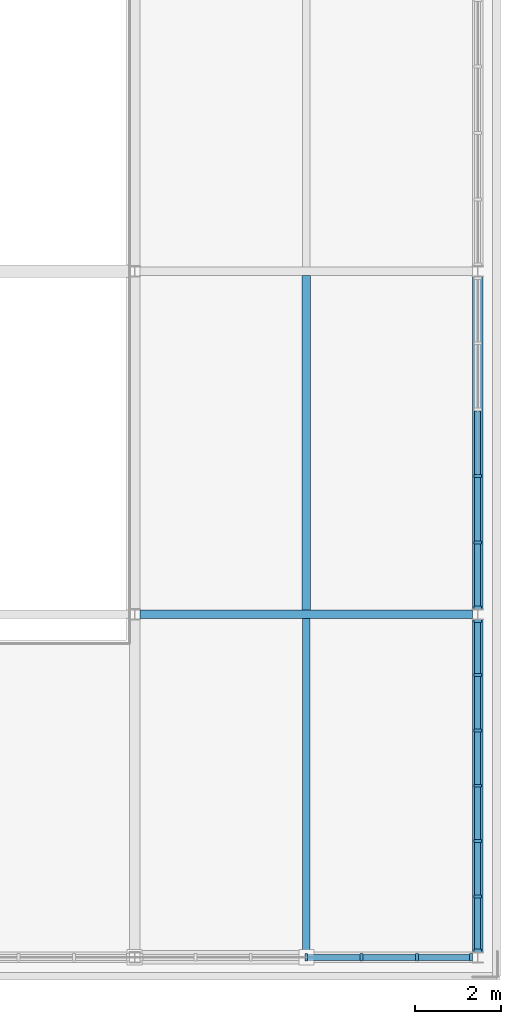
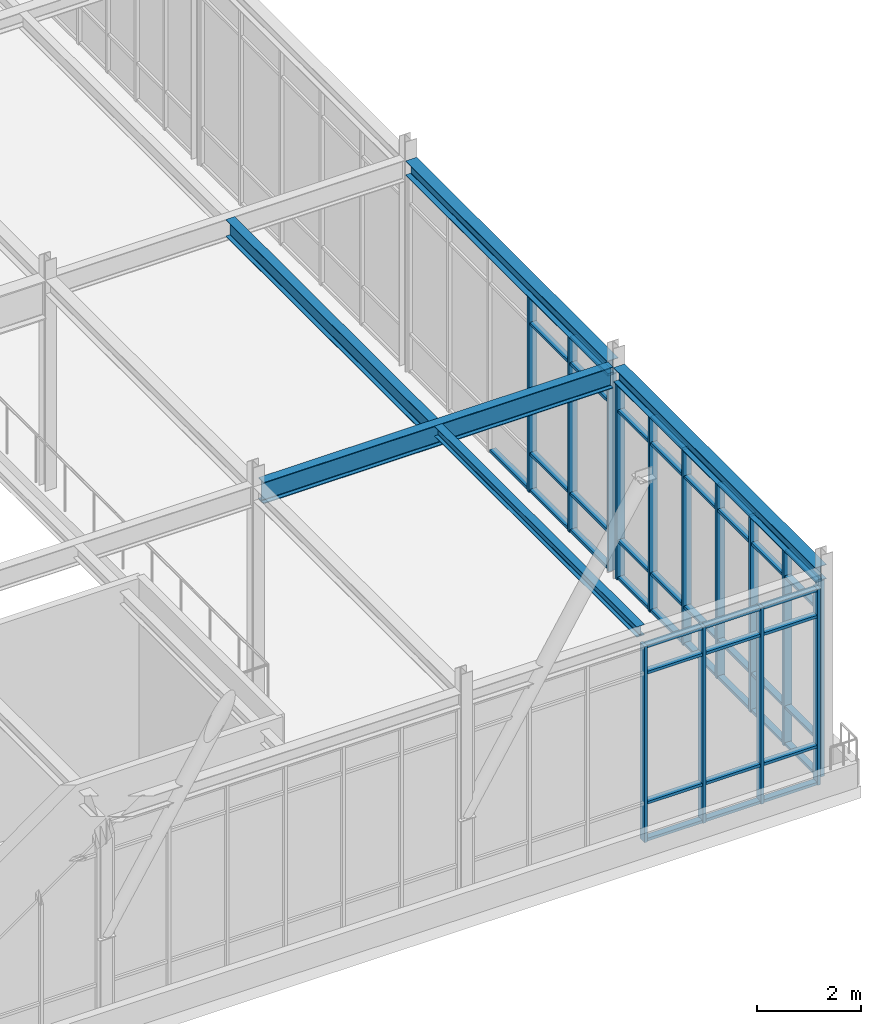
# One storey, part 52 of 108: 59 members, 5 beams, 3 elements without a shape of their own.
"""IFC4 building model written with IfcOpenShell, lengths in metres."""

from ifc_helpers import new_model, si_unit, direction, frame, origin, origin_2d, place, context, subcontext, project, spatial, rectangle, i_section, extrude, material, material_profile, profile_set, type_object, element, aggregate, save


model = new_model("IFC4")

# Units and contexts
model_context = context("Model", 3, precision=1e-05, world=origin(), true_north=direction((0.0, 1.0)))
body_context = subcontext(model_context, "Body", "Model", "MODEL_VIEW")
ifc_project = project(units=[si_unit("LENGTHUNIT", "METRE"), si_unit("AREAUNIT", "SQUARE_METRE"), si_unit("VOLUMEUNIT", "CUBIC_METRE"), si_unit("PLANEANGLEUNIT", "RADIAN"), si_unit("MASSUNIT", "GRAM", prefix="KILO")], contexts=[model_context])

# Site, building, storey
site_placement = place(None, origin())
site = spatial("IfcSite", under=ifc_project, at=site_placement, CompositionType="ELEMENT")
building_placement = place(site_placement, origin())
building = spatial("IfcBuilding", under=site, at=building_placement, Name="Zhaolan Boulevard Law Courts", CompositionType="ELEMENT")
storey_placement = place(building_placement, frame((0.0, 0.0, 10.800048828125)))
storey = spatial("IfcBuildingStorey", under=building, at=storey_placement, Name="L02", CompositionType="ELEMENT", Elevation=10.800048828125)

# Curtain wall, members
ifc_material_1 = material(Name="Thermally broken aluminium and low-E glazing", Category="aluminium")
curtain_wall_type_1 = type_object("IfcCurtainWallType", Name="CURTAIN WALL M14", PredefinedType="USERDEFINED", material=ifc_material_1)
curtain_wall_1_placement = place(storey_placement, origin())
curtain_wall_1 = element("IfcCurtainWall", 1, at=curtain_wall_1_placement, inside=storey, type_object=curtain_wall_type_1, Name="Curtain Wall CW-L02-086", ObjectType="CURTAIN WALL", PredefinedType="USERDEFINED")
ifc_material_2 = material(Name="Fluorocarbon-coated aluminium 6063-T6", Category="aluminium")
ifc_material_profile_1 = material_profile(ifc_material_2, rectangle(XDim=0.179931640625, YDim=0.06494140625, at=origin_2d()), Name="AL65x180")
ifc_profile_set_1 = profile_set([ifc_material_profile_1], Name="Fluorocarbon-coated aluminium 6063-T6")
member_type_1 = type_object("IfcMemberType", Name="CWMULLION 65X180", PredefinedType="MULLION", material=ifc_profile_set_1)
member_1_placement = place(storey_placement, frame((160.0, 6.0, 0.0), z_axis=(0.0, 0.0, 1.0), x_axis=(0.0, 1.0, 0.0)))
member_1 = element("IfcMember", 2, at=member_1_placement, type_object=member_type_1, Name="CW-L02-086 mullion 4", PredefinedType="MULLION", context=body_context, shape_type="SweptSolid", body=[
    extrude(rectangle(XDim=0.179931640625, YDim=0.06494140625, at=origin_2d()), origin(), (0.0, 0.0, 1.0), 4.60302734375),
])
member_2_placement = place(storey_placement, frame((161.291015625, 6.0, 0.0), z_axis=(0.0, 0.0, 1.0), x_axis=(0.0, 1.0, 0.0)))
member_2 = element("IfcMember", 3, at=member_2_placement, type_object=member_type_1, Name="CW-L02-086 mullion 5", PredefinedType="MULLION", context=body_context, shape_type="SweptSolid", body=[
    extrude(rectangle(XDim=0.179931640625, YDim=0.06494140625, at=origin_2d()), origin(), (0.0, 0.0, 1.0), 4.60302734375),
])
member_3_placement = place(storey_placement, frame((162.58203125, 6.0, 0.0), z_axis=(0.0, 0.0, 1.0), x_axis=(0.0, 1.0, 0.0)))
member_3 = element("IfcMember", 4, at=member_3_placement, type_object=member_type_1, Name="CW-L02-086 mullion 6", PredefinedType="MULLION", context=body_context, shape_type="SweptSolid", body=[
    extrude(rectangle(XDim=0.179931640625, YDim=0.06494140625, at=origin_2d()), origin(), (0.0, 0.0, 1.0), 4.60302734375),
])
member_4_placement = place(storey_placement, frame((163.840576171875, 6.0, 0.0), z_axis=(0.0, 0.0, 1.0), x_axis=(0.0, 1.0, 0.0)))
member_4 = element("IfcMember", 5, at=member_4_placement, type_object=member_type_1, Name="CW-L02-086 mullion 7", PredefinedType="MULLION", context=body_context, shape_type="SweptSolid", body=[
    extrude(rectangle(XDim=0.179931640625, YDim=0.06494140625, at=origin_2d()), origin(), (0.0, 0.0, 1.0), 4.60302734375),
])

ifc_material_3 = material(Name="Thermally broken aluminium and low-E glazing", Category="aluminium")
curtain_wall_type_2 = type_object("IfcCurtainWallType", Name="CURTAIN WALL M15", PredefinedType="USERDEFINED", material=ifc_material_3)
curtain_wall_2_placement = place(storey_placement, origin())
curtain_wall_2 = element("IfcCurtainWall", 6, at=curtain_wall_2_placement, inside=storey, type_object=curtain_wall_type_2, Name="Curtain Wall CW-L02-087", ObjectType="CURTAIN WALL", PredefinedType="USERDEFINED")
member_5_placement = place(storey_placement, frame((164.0, 6.159423828125, 0.0), z_axis=(0.0, 0.0, 1.0), x_axis=(-1.0, 0.0, 0.0)))
member_5 = element("IfcMember", 7, at=member_5_placement, type_object=member_type_1, Name="CW-L02-087 mullion 1", PredefinedType="MULLION", context=body_context, shape_type="SweptSolid", body=[
    extrude(rectangle(XDim=0.179931640625, YDim=0.06494140625, at=origin_2d()), origin(), (0.0, 0.0, 1.0), 4.60302734375),
])
member_6_placement = place(storey_placement, frame((164.0, 7.41796875, 0.0), z_axis=(0.0, 0.0, 1.0), x_axis=(-1.0, 0.0, 0.0)))
member_6 = element("IfcMember", 8, at=member_6_placement, type_object=member_type_1, Name="CW-L02-087 mullion 2", PredefinedType="MULLION", context=body_context, shape_type="SweptSolid", body=[
    extrude(rectangle(XDim=0.179931640625, YDim=0.06494140625, at=origin_2d()), origin(), (0.0, 0.0, 1.0), 4.60302734375),
])
member_7_placement = place(storey_placement, frame((164.0, 8.708984375, 0.0), z_axis=(0.0, 0.0, 1.0), x_axis=(-1.0, 0.0, 0.0)))
member_7 = element("IfcMember", 9, at=member_7_placement, type_object=member_type_1, Name="CW-L02-087 mullion 3", PredefinedType="MULLION", context=body_context, shape_type="SweptSolid", body=[
    extrude(rectangle(XDim=0.179931640625, YDim=0.06494140625, at=origin_2d()), origin(), (0.0, 0.0, 1.0), 4.60302734375),
])
member_8_placement = place(storey_placement, frame((164.0, 10.0, 0.0), z_axis=(0.0, 0.0, 1.0), x_axis=(-1.0, 0.0, 0.0)))
member_8 = element("IfcMember", 10, at=member_8_placement, type_object=member_type_1, Name="CW-L02-087 mullion 4", PredefinedType="MULLION", context=body_context, shape_type="SweptSolid", body=[
    extrude(rectangle(XDim=0.179931640625, YDim=0.06494140625, at=origin_2d()), origin(), (0.0, 0.0, 1.0), 4.60302734375),
])
member_9_placement = place(storey_placement, frame((164.0, 11.291015625, 0.0), z_axis=(0.0, 0.0, 1.0), x_axis=(-1.0, 0.0, 0.0)))
member_9 = element("IfcMember", 11, at=member_9_placement, type_object=member_type_1, Name="CW-L02-087 mullion 5", PredefinedType="MULLION", context=body_context, shape_type="SweptSolid", body=[
    extrude(rectangle(XDim=0.179931640625, YDim=0.06494140625, at=origin_2d()), origin(), (0.0, 0.0, 1.0), 4.60302734375),
])
member_10_placement = place(storey_placement, frame((164.0, 12.58203125, 0.0), z_axis=(0.0, 0.0, 1.0), x_axis=(-1.0, 0.0, 0.0)))
member_10 = element("IfcMember", 12, at=member_10_placement, type_object=member_type_1, Name="CW-L02-087 mullion 6", PredefinedType="MULLION", context=body_context, shape_type="SweptSolid", body=[
    extrude(rectangle(XDim=0.179931640625, YDim=0.06494140625, at=origin_2d()), origin(), (0.0, 0.0, 1.0), 4.60302734375),
])
member_11_placement = place(storey_placement, frame((164.0, 13.840576171875, 0.0), z_axis=(0.0, 0.0, 1.0), x_axis=(-1.0, 0.0, 0.0)))
member_11 = element("IfcMember", 13, at=member_11_placement, type_object=member_type_1, Name="CW-L02-087 mullion 7", PredefinedType="MULLION", context=body_context, shape_type="SweptSolid", body=[
    extrude(rectangle(XDim=0.179931640625, YDim=0.06494140625, at=origin_2d()), origin(), (0.0, 0.0, 1.0), 4.60302734375),
])

ifc_material_4 = material(Name="Thermally broken aluminium and low-E glazing", Category="aluminium")
curtain_wall_type_3 = type_object("IfcCurtainWallType", Name="CURTAIN WALL M16", PredefinedType="USERDEFINED", material=ifc_material_4)
curtain_wall_3_placement = place(storey_placement, origin())
curtain_wall_3 = element("IfcCurtainWall", 14, at=curtain_wall_3_placement, inside=storey, type_object=curtain_wall_type_3, Name="Curtain Wall CW-L02-088", ObjectType="CURTAIN WALL", PredefinedType="USERDEFINED")
member_12_placement = place(storey_placement, frame((164.0, 14.159423828125, 0.0), z_axis=(0.0, 0.0, 1.0), x_axis=(-1.0, 0.0, 0.0)))
member_12 = element("IfcMember", 15, at=member_12_placement, type_object=member_type_1, Name="CW-L02-088 mullion 1", PredefinedType="MULLION", context=body_context, shape_type="SweptSolid", body=[
    extrude(rectangle(XDim=0.179931640625, YDim=0.06494140625, at=origin_2d()), origin(), (0.0, 0.0, 1.0), 4.60302734375),
])
member_13_placement = place(storey_placement, frame((164.0, 15.67626953125, 0.0), z_axis=(0.0, 0.0, 1.0), x_axis=(-1.0, 0.0, 0.0)))
member_13 = element("IfcMember", 16, at=member_13_placement, type_object=member_type_1, Name="CW-L02-088 mullion 2", PredefinedType="MULLION", context=body_context, shape_type="SweptSolid", body=[
    extrude(rectangle(XDim=0.179931640625, YDim=0.06494140625, at=origin_2d()), origin(), (0.0, 0.0, 1.0), 4.60302734375),
])
member_14_placement = place(storey_placement, frame((164.0, 17.225341796875, 0.0), z_axis=(0.0, 0.0, 1.0), x_axis=(-1.0, 0.0, 0.0)))
member_14 = element("IfcMember", 17, at=member_14_placement, type_object=member_type_1, Name="CW-L02-088 mullion 3", PredefinedType="MULLION", context=body_context, shape_type="SweptSolid", body=[
    extrude(rectangle(XDim=0.179931640625, YDim=0.06494140625, at=origin_2d()), origin(), (0.0, 0.0, 1.0), 4.60302734375),
])

# Member
ifc_material_5 = material(Name="Fluorocarbon-coated aluminium 6063-T6", Category="aluminium")
ifc_material_profile_2 = material_profile(ifc_material_5, rectangle(XDim=0.139892578125, YDim=0.06494140625, at=origin_2d()), Name="AL65x140")
ifc_profile_set_2 = profile_set([ifc_material_profile_2], Name="Fluorocarbon-coated aluminium 6063-T6")
member_type_2 = type_object("IfcMemberType", Name="CWTRANSOM 65X140", PredefinedType="USERDEFINED", material=ifc_profile_set_2)
member_15_placement = place(storey_placement, frame((160.032470703125, 6.0, 0.032470703125), z_axis=(1.0, 0.0, 0.0), x_axis=(0.0, 1.0, 0.0)))
member_15 = element("IfcMember", 18, at=member_15_placement, type_object=member_type_2, Name="CW-L02-086 transom 4.1", ObjectType="TRANSOM", PredefinedType="USERDEFINED", context=body_context, shape_type="SweptSolid", body=[
    extrude(rectangle(XDim=0.139892578125, YDim=0.06494140625, at=origin_2d()), origin(), (0.0, 0.0, 1.0), 1.22607421875),
])

member_16_placement = place(storey_placement, frame((160.032470703125, 6.0, 0.89990234375), z_axis=(1.0, 0.0, 0.0), x_axis=(0.0, 1.0, 0.0)))
member_16 = element("IfcMember", 19, at=member_16_placement, type_object=member_type_2, Name="CW-L02-086 transom 4.2", ObjectType="TRANSOM", PredefinedType="USERDEFINED", context=body_context, shape_type="SweptSolid", body=[
    extrude(rectangle(XDim=0.139892578125, YDim=0.06494140625, at=origin_2d()), origin(), (0.0, 0.0, 1.0), 1.22607421875),
])

member_17_placement = place(storey_placement, frame((160.032470703125, 6.0, 3.952880859375), z_axis=(1.0, 0.0, 0.0), x_axis=(0.0, 1.0, 0.0)))
member_17 = element("IfcMember", 20, at=member_17_placement, type_object=member_type_2, Name="CW-L02-086 transom 4.3", ObjectType="TRANSOM", PredefinedType="USERDEFINED", context=body_context, shape_type="SweptSolid", body=[
    extrude(rectangle(XDim=0.139892578125, YDim=0.06494140625, at=origin_2d()), origin(), (0.0, 0.0, 1.0), 1.22607421875),
])

member_18_placement = place(storey_placement, frame((160.032470703125, 6.0, 4.570556640625), z_axis=(1.0, 0.0, 0.0), x_axis=(0.0, 1.0, 0.0)))
member_18 = element("IfcMember", 21, at=member_18_placement, type_object=member_type_2, Name="CW-L02-086 transom 4.4", ObjectType="TRANSOM", PredefinedType="USERDEFINED", context=body_context, shape_type="SweptSolid", body=[
    extrude(rectangle(XDim=0.139892578125, YDim=0.06494140625, at=origin_2d()), origin(), (0.0, 0.0, 1.0), 1.22607421875),
])

member_19_placement = place(storey_placement, frame((161.323486328125, 6.0, 0.032470703125), z_axis=(1.0, 0.0, 0.0), x_axis=(0.0, 1.0, 0.0)))
member_19 = element("IfcMember", 22, at=member_19_placement, type_object=member_type_2, Name="CW-L02-086 transom 5.1", ObjectType="TRANSOM", PredefinedType="USERDEFINED", context=body_context, shape_type="SweptSolid", body=[
    extrude(rectangle(XDim=0.139892578125, YDim=0.06494140625, at=origin_2d()), origin(), (0.0, 0.0, 1.0), 1.22607421875),
])

member_20_placement = place(storey_placement, frame((161.323486328125, 6.0, 0.89990234375), z_axis=(1.0, 0.0, 0.0), x_axis=(0.0, 1.0, 0.0)))
member_20 = element("IfcMember", 23, at=member_20_placement, type_object=member_type_2, Name="CW-L02-086 transom 5.2", ObjectType="TRANSOM", PredefinedType="USERDEFINED", context=body_context, shape_type="SweptSolid", body=[
    extrude(rectangle(XDim=0.139892578125, YDim=0.06494140625, at=origin_2d()), origin(), (0.0, 0.0, 1.0), 1.22607421875),
])

member_21_placement = place(storey_placement, frame((161.323486328125, 6.0, 3.952880859375), z_axis=(1.0, 0.0, 0.0), x_axis=(0.0, 1.0, 0.0)))
member_21 = element("IfcMember", 24, at=member_21_placement, type_object=member_type_2, Name="CW-L02-086 transom 5.3", ObjectType="TRANSOM", PredefinedType="USERDEFINED", context=body_context, shape_type="SweptSolid", body=[
    extrude(rectangle(XDim=0.139892578125, YDim=0.06494140625, at=origin_2d()), origin(), (0.0, 0.0, 1.0), 1.22607421875),
])

member_22_placement = place(storey_placement, frame((161.323486328125, 6.0, 4.570556640625), z_axis=(1.0, 0.0, 0.0), x_axis=(0.0, 1.0, 0.0)))
member_22 = element("IfcMember", 25, at=member_22_placement, type_object=member_type_2, Name="CW-L02-086 transom 5.4", ObjectType="TRANSOM", PredefinedType="USERDEFINED", context=body_context, shape_type="SweptSolid", body=[
    extrude(rectangle(XDim=0.139892578125, YDim=0.06494140625, at=origin_2d()), origin(), (0.0, 0.0, 1.0), 1.22607421875),
])

member_23_placement = place(storey_placement, frame((162.614501953125, 6.0, 0.032470703125), z_axis=(1.0, 0.0, 0.0), x_axis=(0.0, 1.0, 0.0)))
member_23 = element("IfcMember", 26, at=member_23_placement, type_object=member_type_2, Name="CW-L02-086 transom 6.1", ObjectType="TRANSOM", PredefinedType="USERDEFINED", context=body_context, shape_type="SweptSolid", body=[
    extrude(rectangle(XDim=0.139892578125, YDim=0.06494140625, at=origin_2d()), origin(), (0.0, 0.0, 1.0), 1.193603515625),
])

member_24_placement = place(storey_placement, frame((162.614501953125, 6.0, 0.89990234375), z_axis=(1.0, 0.0, 0.0), x_axis=(0.0, 1.0, 0.0)))
member_24 = element("IfcMember", 27, at=member_24_placement, type_object=member_type_2, Name="CW-L02-086 transom 6.2", ObjectType="TRANSOM", PredefinedType="USERDEFINED", context=body_context, shape_type="SweptSolid", body=[
    extrude(rectangle(XDim=0.139892578125, YDim=0.06494140625, at=origin_2d()), origin(), (0.0, 0.0, 1.0), 1.193603515625),
])

member_25_placement = place(storey_placement, frame((162.614501953125, 6.0, 3.952880859375), z_axis=(1.0, 0.0, 0.0), x_axis=(0.0, 1.0, 0.0)))
member_25 = element("IfcMember", 28, at=member_25_placement, type_object=member_type_2, Name="CW-L02-086 transom 6.3", ObjectType="TRANSOM", PredefinedType="USERDEFINED", context=body_context, shape_type="SweptSolid", body=[
    extrude(rectangle(XDim=0.139892578125, YDim=0.06494140625, at=origin_2d()), origin(), (0.0, 0.0, 1.0), 1.193603515625),
])

member_26_placement = place(storey_placement, frame((162.614501953125, 6.0, 4.570556640625), z_axis=(1.0, 0.0, 0.0), x_axis=(0.0, 1.0, 0.0)))
member_26 = element("IfcMember", 29, at=member_26_placement, type_object=member_type_2, Name="CW-L02-086 transom 6.4", ObjectType="TRANSOM", PredefinedType="USERDEFINED", context=body_context, shape_type="SweptSolid", body=[
    extrude(rectangle(XDim=0.139892578125, YDim=0.06494140625, at=origin_2d()), origin(), (0.0, 0.0, 1.0), 1.193603515625),
])

aggregate(curtain_wall_1, [member_1, member_2, member_3, member_4, member_15, member_16, member_17, member_18, member_19, member_20, member_21, member_22, member_23, member_24, member_25, member_26])

member_27_placement = place(storey_placement, frame((164.0, 6.19189453125, 0.032470703125), z_axis=(0.0, 1.0, 0.0), x_axis=(-1.0, 0.0, 0.0)))
member_27 = element("IfcMember", 30, at=member_27_placement, type_object=member_type_2, Name="CW-L02-087 transom 1.1", ObjectType="TRANSOM", PredefinedType="USERDEFINED", context=body_context, shape_type="SweptSolid", body=[
    extrude(rectangle(XDim=0.139892578125, YDim=0.06494140625, at=origin_2d()), origin(), (0.0, 0.0, 1.0), 1.193603515625),
])

member_28_placement = place(storey_placement, frame((164.0, 6.19189453125, 0.89990234375), z_axis=(0.0, 1.0, 0.0), x_axis=(-1.0, 0.0, 0.0)))
member_28 = element("IfcMember", 31, at=member_28_placement, type_object=member_type_2, Name="CW-L02-087 transom 1.2", ObjectType="TRANSOM", PredefinedType="USERDEFINED", context=body_context, shape_type="SweptSolid", body=[
    extrude(rectangle(XDim=0.139892578125, YDim=0.06494140625, at=origin_2d()), origin(), (0.0, 0.0, 1.0), 1.193603515625),
])

member_29_placement = place(storey_placement, frame((164.0, 6.19189453125, 3.952880859375), z_axis=(0.0, 1.0, 0.0), x_axis=(-1.0, 0.0, 0.0)))
member_29 = element("IfcMember", 32, at=member_29_placement, type_object=member_type_2, Name="CW-L02-087 transom 1.3", ObjectType="TRANSOM", PredefinedType="USERDEFINED", context=body_context, shape_type="SweptSolid", body=[
    extrude(rectangle(XDim=0.139892578125, YDim=0.06494140625, at=origin_2d()), origin(), (0.0, 0.0, 1.0), 1.193603515625),
])

member_30_placement = place(storey_placement, frame((164.0, 6.19189453125, 4.570556640625), z_axis=(0.0, 1.0, 0.0), x_axis=(-1.0, 0.0, 0.0)))
member_30 = element("IfcMember", 33, at=member_30_placement, type_object=member_type_2, Name="CW-L02-087 transom 1.4", ObjectType="TRANSOM", PredefinedType="USERDEFINED", context=body_context, shape_type="SweptSolid", body=[
    extrude(rectangle(XDim=0.139892578125, YDim=0.06494140625, at=origin_2d()), origin(), (0.0, 0.0, 1.0), 1.193603515625),
])

member_31_placement = place(storey_placement, frame((164.0, 7.450439453125, 0.032470703125), z_axis=(0.0, 1.0, 0.0), x_axis=(-1.0, 0.0, 0.0)))
member_31 = element("IfcMember", 34, at=member_31_placement, type_object=member_type_2, Name="CW-L02-087 transom 2.1", ObjectType="TRANSOM", PredefinedType="USERDEFINED", context=body_context, shape_type="SweptSolid", body=[
    extrude(rectangle(XDim=0.139892578125, YDim=0.06494140625, at=origin_2d()), origin(), (0.0, 0.0, 1.0), 1.22607421875),
])

member_32_placement = place(storey_placement, frame((164.0, 7.450439453125, 0.89990234375), z_axis=(0.0, 1.0, 0.0), x_axis=(-1.0, 0.0, 0.0)))
member_32 = element("IfcMember", 35, at=member_32_placement, type_object=member_type_2, Name="CW-L02-087 transom 2.2", ObjectType="TRANSOM", PredefinedType="USERDEFINED", context=body_context, shape_type="SweptSolid", body=[
    extrude(rectangle(XDim=0.139892578125, YDim=0.06494140625, at=origin_2d()), origin(), (0.0, 0.0, 1.0), 1.22607421875),
])

member_33_placement = place(storey_placement, frame((164.0, 7.450439453125, 3.952880859375), z_axis=(0.0, 1.0, 0.0), x_axis=(-1.0, 0.0, 0.0)))
member_33 = element("IfcMember", 36, at=member_33_placement, type_object=member_type_2, Name="CW-L02-087 transom 2.3", ObjectType="TRANSOM", PredefinedType="USERDEFINED", context=body_context, shape_type="SweptSolid", body=[
    extrude(rectangle(XDim=0.139892578125, YDim=0.06494140625, at=origin_2d()), origin(), (0.0, 0.0, 1.0), 1.22607421875),
])

member_34_placement = place(storey_placement, frame((164.0, 7.450439453125, 4.570556640625), z_axis=(0.0, 1.0, 0.0), x_axis=(-1.0, 0.0, 0.0)))
member_34 = element("IfcMember", 37, at=member_34_placement, type_object=member_type_2, Name="CW-L02-087 transom 2.4", ObjectType="TRANSOM", PredefinedType="USERDEFINED", context=body_context, shape_type="SweptSolid", body=[
    extrude(rectangle(XDim=0.139892578125, YDim=0.06494140625, at=origin_2d()), origin(), (0.0, 0.0, 1.0), 1.22607421875),
])

member_35_placement = place(storey_placement, frame((164.0, 8.741455078125, 0.032470703125), z_axis=(0.0, 1.0, 0.0), x_axis=(-1.0, 0.0, 0.0)))
member_35 = element("IfcMember", 38, at=member_35_placement, type_object=member_type_2, Name="CW-L02-087 transom 3.1", ObjectType="TRANSOM", PredefinedType="USERDEFINED", context=body_context, shape_type="SweptSolid", body=[
    extrude(rectangle(XDim=0.139892578125, YDim=0.06494140625, at=origin_2d()), origin(), (0.0, 0.0, 1.0), 1.22607421875),
])

member_36_placement = place(storey_placement, frame((164.0, 8.741455078125, 0.89990234375), z_axis=(0.0, 1.0, 0.0), x_axis=(-1.0, 0.0, 0.0)))
member_36 = element("IfcMember", 39, at=member_36_placement, type_object=member_type_2, Name="CW-L02-087 transom 3.2", ObjectType="TRANSOM", PredefinedType="USERDEFINED", context=body_context, shape_type="SweptSolid", body=[
    extrude(rectangle(XDim=0.139892578125, YDim=0.06494140625, at=origin_2d()), origin(), (0.0, 0.0, 1.0), 1.22607421875),
])

member_37_placement = place(storey_placement, frame((164.0, 8.741455078125, 3.952880859375), z_axis=(0.0, 1.0, 0.0), x_axis=(-1.0, 0.0, 0.0)))
member_37 = element("IfcMember", 40, at=member_37_placement, type_object=member_type_2, Name="CW-L02-087 transom 3.3", ObjectType="TRANSOM", PredefinedType="USERDEFINED", context=body_context, shape_type="SweptSolid", body=[
    extrude(rectangle(XDim=0.139892578125, YDim=0.06494140625, at=origin_2d()), origin(), (0.0, 0.0, 1.0), 1.22607421875),
])

member_38_placement = place(storey_placement, frame((164.0, 8.741455078125, 4.570556640625), z_axis=(0.0, 1.0, 0.0), x_axis=(-1.0, 0.0, 0.0)))
member_38 = element("IfcMember", 41, at=member_38_placement, type_object=member_type_2, Name="CW-L02-087 transom 3.4", ObjectType="TRANSOM", PredefinedType="USERDEFINED", context=body_context, shape_type="SweptSolid", body=[
    extrude(rectangle(XDim=0.139892578125, YDim=0.06494140625, at=origin_2d()), origin(), (0.0, 0.0, 1.0), 1.22607421875),
])

member_39_placement = place(storey_placement, frame((164.0, 10.032470703125, 0.032470703125), z_axis=(0.0, 1.0, 0.0), x_axis=(-1.0, 0.0, 0.0)))
member_39 = element("IfcMember", 42, at=member_39_placement, type_object=member_type_2, Name="CW-L02-087 transom 4.1", ObjectType="TRANSOM", PredefinedType="USERDEFINED", context=body_context, shape_type="SweptSolid", body=[
    extrude(rectangle(XDim=0.139892578125, YDim=0.06494140625, at=origin_2d()), origin(), (0.0, 0.0, 1.0), 1.22607421875),
])

member_40_placement = place(storey_placement, frame((164.0, 10.032470703125, 0.89990234375), z_axis=(0.0, 1.0, 0.0), x_axis=(-1.0, 0.0, 0.0)))
member_40 = element("IfcMember", 43, at=member_40_placement, type_object=member_type_2, Name="CW-L02-087 transom 4.2", ObjectType="TRANSOM", PredefinedType="USERDEFINED", context=body_context, shape_type="SweptSolid", body=[
    extrude(rectangle(XDim=0.139892578125, YDim=0.06494140625, at=origin_2d()), origin(), (0.0, 0.0, 1.0), 1.22607421875),
])

member_41_placement = place(storey_placement, frame((164.0, 10.032470703125, 3.952880859375), z_axis=(0.0, 1.0, 0.0), x_axis=(-1.0, 0.0, 0.0)))
member_41 = element("IfcMember", 44, at=member_41_placement, type_object=member_type_2, Name="CW-L02-087 transom 4.3", ObjectType="TRANSOM", PredefinedType="USERDEFINED", context=body_context, shape_type="SweptSolid", body=[
    extrude(rectangle(XDim=0.139892578125, YDim=0.06494140625, at=origin_2d()), origin(), (0.0, 0.0, 1.0), 1.22607421875),
])

member_42_placement = place(storey_placement, frame((164.0, 10.032470703125, 4.570556640625), z_axis=(0.0, 1.0, 0.0), x_axis=(-1.0, 0.0, 0.0)))
member_42 = element("IfcMember", 45, at=member_42_placement, type_object=member_type_2, Name="CW-L02-087 transom 4.4", ObjectType="TRANSOM", PredefinedType="USERDEFINED", context=body_context, shape_type="SweptSolid", body=[
    extrude(rectangle(XDim=0.139892578125, YDim=0.06494140625, at=origin_2d()), origin(), (0.0, 0.0, 1.0), 1.22607421875),
])

member_43_placement = place(storey_placement, frame((164.0, 11.323486328125, 0.032470703125), z_axis=(0.0, 1.0, 0.0), x_axis=(-1.0, 0.0, 0.0)))
member_43 = element("IfcMember", 46, at=member_43_placement, type_object=member_type_2, Name="CW-L02-087 transom 5.1", ObjectType="TRANSOM", PredefinedType="USERDEFINED", context=body_context, shape_type="SweptSolid", body=[
    extrude(rectangle(XDim=0.139892578125, YDim=0.06494140625, at=origin_2d()), origin(), (0.0, 0.0, 1.0), 1.22607421875),
])

member_44_placement = place(storey_placement, frame((164.0, 11.323486328125, 0.89990234375), z_axis=(0.0, 1.0, 0.0), x_axis=(-1.0, 0.0, 0.0)))
member_44 = element("IfcMember", 47, at=member_44_placement, type_object=member_type_2, Name="CW-L02-087 transom 5.2", ObjectType="TRANSOM", PredefinedType="USERDEFINED", context=body_context, shape_type="SweptSolid", body=[
    extrude(rectangle(XDim=0.139892578125, YDim=0.06494140625, at=origin_2d()), origin(), (0.0, 0.0, 1.0), 1.22607421875),
])

member_45_placement = place(storey_placement, frame((164.0, 11.323486328125, 3.952880859375), z_axis=(0.0, 1.0, 0.0), x_axis=(-1.0, 0.0, 0.0)))
member_45 = element("IfcMember", 48, at=member_45_placement, type_object=member_type_2, Name="CW-L02-087 transom 5.3", ObjectType="TRANSOM", PredefinedType="USERDEFINED", context=body_context, shape_type="SweptSolid", body=[
    extrude(rectangle(XDim=0.139892578125, YDim=0.06494140625, at=origin_2d()), origin(), (0.0, 0.0, 1.0), 1.22607421875),
])

member_46_placement = place(storey_placement, frame((164.0, 11.323486328125, 4.570556640625), z_axis=(0.0, 1.0, 0.0), x_axis=(-1.0, 0.0, 0.0)))
member_46 = element("IfcMember", 49, at=member_46_placement, type_object=member_type_2, Name="CW-L02-087 transom 5.4", ObjectType="TRANSOM", PredefinedType="USERDEFINED", context=body_context, shape_type="SweptSolid", body=[
    extrude(rectangle(XDim=0.139892578125, YDim=0.06494140625, at=origin_2d()), origin(), (0.0, 0.0, 1.0), 1.22607421875),
])

member_47_placement = place(storey_placement, frame((164.0, 12.614501953125, 0.032470703125), z_axis=(0.0, 1.0, 0.0), x_axis=(-1.0, 0.0, 0.0)))
member_47 = element("IfcMember", 50, at=member_47_placement, type_object=member_type_2, Name="CW-L02-087 transom 6.1", ObjectType="TRANSOM", PredefinedType="USERDEFINED", context=body_context, shape_type="SweptSolid", body=[
    extrude(rectangle(XDim=0.139892578125, YDim=0.06494140625, at=origin_2d()), origin(), (0.0, 0.0, 1.0), 1.193603515625),
])

member_48_placement = place(storey_placement, frame((164.0, 12.614501953125, 0.89990234375), z_axis=(0.0, 1.0, 0.0), x_axis=(-1.0, 0.0, 0.0)))
member_48 = element("IfcMember", 51, at=member_48_placement, type_object=member_type_2, Name="CW-L02-087 transom 6.2", ObjectType="TRANSOM", PredefinedType="USERDEFINED", context=body_context, shape_type="SweptSolid", body=[
    extrude(rectangle(XDim=0.139892578125, YDim=0.06494140625, at=origin_2d()), origin(), (0.0, 0.0, 1.0), 1.193603515625),
])

member_49_placement = place(storey_placement, frame((164.0, 12.614501953125, 3.952880859375), z_axis=(0.0, 1.0, 0.0), x_axis=(-1.0, 0.0, 0.0)))
member_49 = element("IfcMember", 52, at=member_49_placement, type_object=member_type_2, Name="CW-L02-087 transom 6.3", ObjectType="TRANSOM", PredefinedType="USERDEFINED", context=body_context, shape_type="SweptSolid", body=[
    extrude(rectangle(XDim=0.139892578125, YDim=0.06494140625, at=origin_2d()), origin(), (0.0, 0.0, 1.0), 1.193603515625),
])

member_50_placement = place(storey_placement, frame((164.0, 12.614501953125, 4.570556640625), z_axis=(0.0, 1.0, 0.0), x_axis=(-1.0, 0.0, 0.0)))
member_50 = element("IfcMember", 53, at=member_50_placement, type_object=member_type_2, Name="CW-L02-087 transom 6.4", ObjectType="TRANSOM", PredefinedType="USERDEFINED", context=body_context, shape_type="SweptSolid", body=[
    extrude(rectangle(XDim=0.139892578125, YDim=0.06494140625, at=origin_2d()), origin(), (0.0, 0.0, 1.0), 1.193603515625),
])

aggregate(curtain_wall_2, [member_5, member_6, member_7, member_8, member_9, member_10, member_11, member_27, member_28, member_29, member_30, member_31, member_32, member_33, member_34, member_35, member_36, member_37, member_38, member_39, member_40, member_41, member_42, member_43, member_44, member_45, member_46, member_47, member_48, member_49, member_50])

member_51_placement = place(storey_placement, frame((164.0, 14.19189453125, 0.032470703125), z_axis=(0.0, 1.0, 0.0), x_axis=(-1.0, 0.0, 0.0)))
member_51 = element("IfcMember", 54, at=member_51_placement, type_object=member_type_2, Name="CW-L02-088 transom 1.1", ObjectType="TRANSOM", PredefinedType="USERDEFINED", context=body_context, shape_type="SweptSolid", body=[
    extrude(rectangle(XDim=0.139892578125, YDim=0.06494140625, at=origin_2d()), origin(), (0.0, 0.0, 1.0), 1.451904296875),
])

member_52_placement = place(storey_placement, frame((164.0, 14.19189453125, 0.89990234375), z_axis=(0.0, 1.0, 0.0), x_axis=(-1.0, 0.0, 0.0)))
member_52 = element("IfcMember", 55, at=member_52_placement, type_object=member_type_2, Name="CW-L02-088 transom 1.2", ObjectType="TRANSOM", PredefinedType="USERDEFINED", context=body_context, shape_type="SweptSolid", body=[
    extrude(rectangle(XDim=0.139892578125, YDim=0.06494140625, at=origin_2d()), origin(), (0.0, 0.0, 1.0), 1.451904296875),
])

member_53_placement = place(storey_placement, frame((164.0, 14.19189453125, 3.952880859375), z_axis=(0.0, 1.0, 0.0), x_axis=(-1.0, 0.0, 0.0)))
member_53 = element("IfcMember", 56, at=member_53_placement, type_object=member_type_2, Name="CW-L02-088 transom 1.3", ObjectType="TRANSOM", PredefinedType="USERDEFINED", context=body_context, shape_type="SweptSolid", body=[
    extrude(rectangle(XDim=0.139892578125, YDim=0.06494140625, at=origin_2d()), origin(), (0.0, 0.0, 1.0), 1.451904296875),
])

member_54_placement = place(storey_placement, frame((164.0, 14.19189453125, 4.570556640625), z_axis=(0.0, 1.0, 0.0), x_axis=(-1.0, 0.0, 0.0)))
member_54 = element("IfcMember", 57, at=member_54_placement, type_object=member_type_2, Name="CW-L02-088 transom 1.4", ObjectType="TRANSOM", PredefinedType="USERDEFINED", context=body_context, shape_type="SweptSolid", body=[
    extrude(rectangle(XDim=0.139892578125, YDim=0.06494140625, at=origin_2d()), origin(), (0.0, 0.0, 1.0), 1.451904296875),
])

member_55_placement = place(storey_placement, frame((164.0, 15.708740234375, 0.032470703125), z_axis=(0.0, 1.0, 0.0), x_axis=(-1.0, 0.0, 0.0)))
member_55 = element("IfcMember", 58, at=member_55_placement, type_object=member_type_2, Name="CW-L02-088 transom 2.1", ObjectType="TRANSOM", PredefinedType="USERDEFINED", context=body_context, shape_type="SweptSolid", body=[
    extrude(rectangle(XDim=0.139892578125, YDim=0.06494140625, at=origin_2d()), origin(), (0.0, 0.0, 1.0), 1.484130859375),
])

member_56_placement = place(storey_placement, frame((164.0, 15.708740234375, 0.89990234375), z_axis=(0.0, 1.0, 0.0), x_axis=(-1.0, 0.0, 0.0)))
member_56 = element("IfcMember", 59, at=member_56_placement, type_object=member_type_2, Name="CW-L02-088 transom 2.2", ObjectType="TRANSOM", PredefinedType="USERDEFINED", context=body_context, shape_type="SweptSolid", body=[
    extrude(rectangle(XDim=0.139892578125, YDim=0.06494140625, at=origin_2d()), origin(), (0.0, 0.0, 1.0), 1.484130859375),
])

member_57_placement = place(storey_placement, frame((164.0, 15.708740234375, 3.952880859375), z_axis=(0.0, 1.0, 0.0), x_axis=(-1.0, 0.0, 0.0)))
member_57 = element("IfcMember", 60, at=member_57_placement, type_object=member_type_2, Name="CW-L02-088 transom 2.3", ObjectType="TRANSOM", PredefinedType="USERDEFINED", context=body_context, shape_type="SweptSolid", body=[
    extrude(rectangle(XDim=0.139892578125, YDim=0.06494140625, at=origin_2d()), origin(), (0.0, 0.0, 1.0), 1.484130859375),
])

member_58_placement = place(storey_placement, frame((164.0, 15.708740234375, 4.570556640625), z_axis=(0.0, 1.0, 0.0), x_axis=(-1.0, 0.0, 0.0)))
member_58 = element("IfcMember", 61, at=member_58_placement, type_object=member_type_2, Name="CW-L02-088 transom 2.4", ObjectType="TRANSOM", PredefinedType="USERDEFINED", context=body_context, shape_type="SweptSolid", body=[
    extrude(rectangle(XDim=0.139892578125, YDim=0.06494140625, at=origin_2d()), origin(), (0.0, 0.0, 1.0), 1.484130859375),
])

member_59_placement = place(storey_placement, frame((164.0, 17.2578125, 0.032470703125), z_axis=(0.0, 1.0, 0.0), x_axis=(-1.0, 0.0, 0.0)))
member_59 = element("IfcMember", 62, at=member_59_placement, type_object=member_type_2, Name="CW-L02-088 transom 3.1", ObjectType="TRANSOM", PredefinedType="USERDEFINED", context=body_context, shape_type="SweptSolid", body=[
    extrude(rectangle(XDim=0.139892578125, YDim=0.06494140625, at=origin_2d()), origin(), (0.0, 0.0, 1.0), 1.484375),
])

aggregate(curtain_wall_3, [member_12, member_13, member_14, member_51, member_52, member_53, member_54, member_55, member_56, member_57, member_58, member_59])

# Beams
ifc_material_6 = material(Name="Structural steel Q355B", Category="steel")
ifc_material_profile_3 = material_profile(ifc_material_6, i_section(OverallWidth=0.25, OverallDepth=0.340087890625, WebThickness=0.009033203125, FlangeThickness=0.013916015625, FilletRadius=0.01611328125, at=origin_2d()), Name="HM340x250")
ifc_profile_set_3 = profile_set([ifc_material_profile_3], Name="Structural steel Q355B")
beam_type_1 = type_object("IfcBeamType", Name="GIRDER HM340", PredefinedType="BEAM", material=ifc_profile_set_3)
for number, where, z_axis, x_axis, name in (
    (63, (164.0, 6.12109375, 4.787841796875), (0.0, 1.0, 0.0), (-1.0, 0.0, 0.0), "Beam BY-L03-21-B-C"),
    (64, (164.0, 14.12109375, 4.787841796875), (0.0, 1.0, 0.0), (-1.0, 0.0, 0.0), "Beam BY-L03-21-C-D"),
):
    element("IfcBeam", number, at=place(storey_placement, frame(where, z_axis=z_axis, x_axis=x_axis)), inside=storey, type_object=beam_type_1, Name=name, PredefinedType="BEAM", context=body_context, shape_type="SweptSolid", body=[
        extrude(i_section(OverallWidth=0.25, OverallDepth=0.340087890625, WebThickness=0.009033203125, FlangeThickness=0.013916015625, FilletRadius=0.01611328125, at=origin_2d()), origin(), (0.0, 0.0, 1.0), 7.7578125),
    ])
ifc_material_7 = material(Name="Structural steel Q355B", Category="steel")
ifc_material_profile_4 = material_profile(ifc_material_7, i_section(OverallWidth=0.199951171875, OverallDepth=0.5, WebThickness=0.010009765625, FlangeThickness=0.01611328125, FilletRadius=0.01806640625, at=origin_2d()), Name="HN500x200")
ifc_profile_set_4 = profile_set([ifc_material_profile_4], Name="Structural steel Q355B")
beam_type_2 = type_object("IfcBeamType", Name="GIRDER HN500", PredefinedType="BEAM", material=ifc_profile_set_4)
beam_1_placement = place(storey_placement, frame((156.12109375, 14.0, 4.7080078125), z_axis=(1.0, 0.0, 0.0), x_axis=(0.0, 1.0, 0.0)))
element("IfcBeam", 65, at=beam_1_placement, inside=storey, type_object=beam_type_2, Name="Beam BX-L03-20-21-C", PredefinedType="BEAM", context=body_context, shape_type="SweptSolid", body=[
    extrude(i_section(OverallWidth=0.199951171875, OverallDepth=0.5, WebThickness=0.010009765625, FlangeThickness=0.01611328125, FilletRadius=0.01806640625, at=origin_2d()), origin(), (0.0, 0.0, 1.0), 7.7578125),
])
ifc_material_8 = material(Name="Structural steel Q355B", Category="steel")
ifc_material_profile_5 = material_profile(ifc_material_8, i_section(OverallWidth=0.175048828125, OverallDepth=0.243896484375, WebThickness=0.007080078125, FlangeThickness=0.010986328125, FilletRadius=0.012939453125, at=origin_2d()), Name="HM244x175")
ifc_profile_set_5 = profile_set([ifc_material_profile_5], Name="Structural steel Q355B")
beam_type_3 = type_object("IfcBeamType", Name="JOIST HM244", PredefinedType="JOIST", material=ifc_profile_set_5)
beam_2_placement = place(storey_placement, frame((160.0, 6.12109375, 4.8359375), z_axis=(0.0, 1.0, 0.0), x_axis=(-1.0, 0.0, 0.0)))
element("IfcBeam", 66, at=beam_2_placement, inside=storey, type_object=beam_type_3, Name="Composite Joist J-L03-20B", PredefinedType="JOIST", context=body_context, shape_type="SweptSolid", body=[
    extrude(i_section(OverallWidth=0.175048828125, OverallDepth=0.243896484375, WebThickness=0.007080078125, FlangeThickness=0.010986328125, FilletRadius=0.012939453125, at=origin_2d()), origin(), (0.0, 0.0, 1.0), 7.782958984375),
])
ifc_material_9 = material(Name="Structural steel Q355B", Category="steel")
ifc_material_profile_6 = material_profile(ifc_material_9, i_section(OverallWidth=0.199951171875, OverallDepth=0.39990234375, WebThickness=0.008056640625, FlangeThickness=0.012939453125, FilletRadius=0.013916015625, at=origin_2d()), Name="HN400x200")
ifc_profile_set_6 = profile_set([ifc_material_profile_6], Name="Structural steel Q355B")
beam_type_4 = type_object("IfcBeamType", Name="JOIST HN400", PredefinedType="JOIST", material=ifc_profile_set_6)
beam_3_placement = place(storey_placement, frame((160.0, 14.095947265625, 4.758056640625), z_axis=(0.0, 1.0, 0.0), x_axis=(-1.0, 0.0, 0.0)))
element("IfcBeam", 67, at=beam_3_placement, inside=storey, type_object=beam_type_4, Name="Composite Joist J-L03-20C", PredefinedType="JOIST", context=body_context, shape_type="SweptSolid", body=[
    extrude(i_section(OverallWidth=0.199951171875, OverallDepth=0.39990234375, WebThickness=0.008056640625, FlangeThickness=0.012939453125, FilletRadius=0.013916015625, at=origin_2d()), origin(), (0.0, 0.0, 1.0), 7.80810546875),
])

save(model, "model.ifc")
